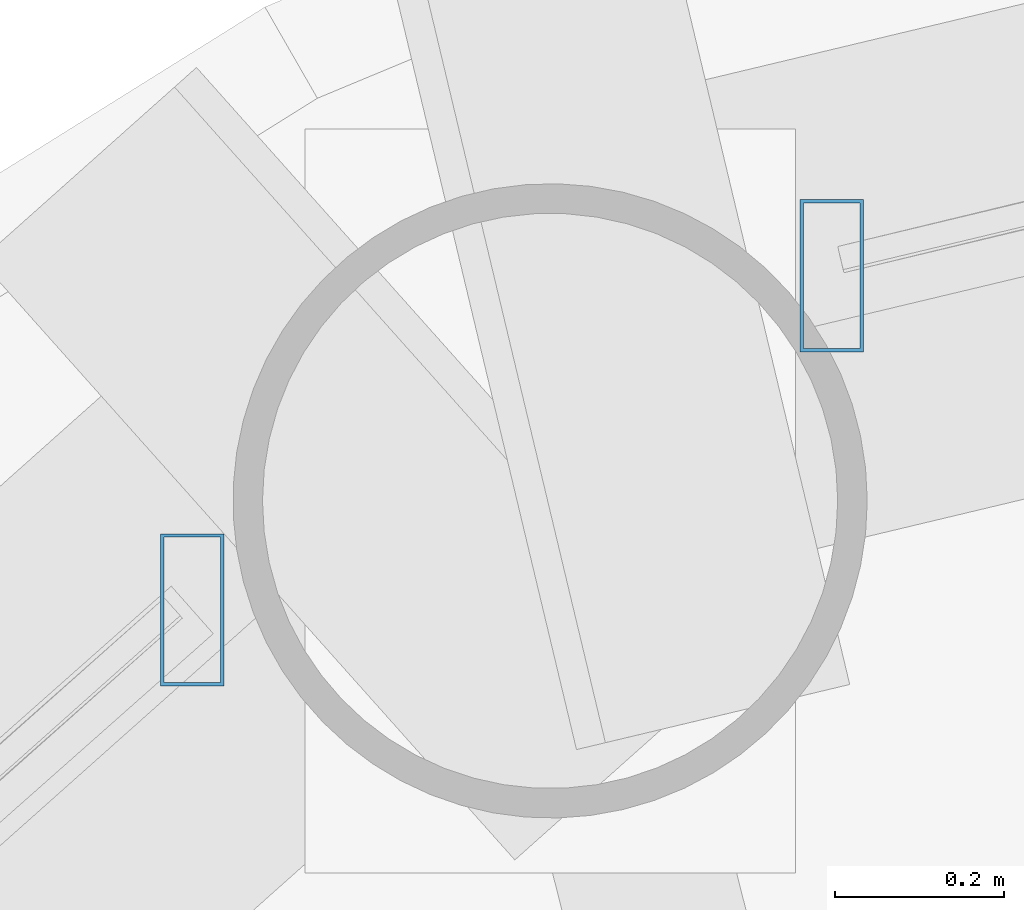
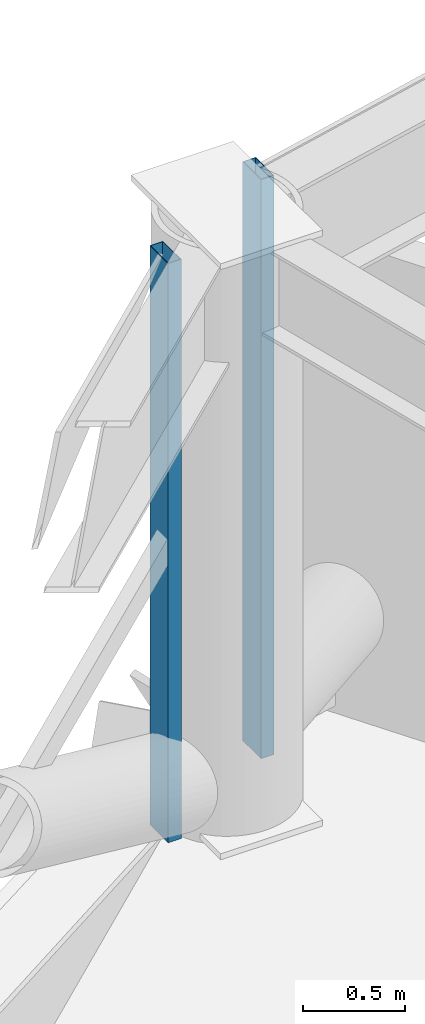
# One storey, part 15 of 30: 2 members, 2 elements without a shape of their own.
"""IFC4 building model written with IfcOpenShell, lengths in metres."""

from ifc_helpers import new_model, si_unit, direction, frame, origin, origin_2d, place, context, subcontext, project, spatial, hollow_rectangle, extrude, material, layer, layer_set, material_profile, profile_set, type_object, element, aggregate, save


model = new_model("IFC4")

# Units and contexts
model_context = context("Model", 3, precision=1e-05, world=origin(), true_north=direction((0.0, 1.0)))
body_context = subcontext(model_context, "Body", "Model", "MODEL_VIEW")
ifc_project = project(units=[si_unit("LENGTHUNIT", "METRE"), si_unit("AREAUNIT", "SQUARE_METRE"), si_unit("VOLUMEUNIT", "CUBIC_METRE"), si_unit("PLANEANGLEUNIT", "RADIAN"), si_unit("MASSUNIT", "GRAM", prefix="KILO")], contexts=[model_context])

# Site, building, storey
site_placement = place(None, origin())
site = spatial("IfcSite", under=ifc_project, at=site_placement, CompositionType="ELEMENT")
building_placement = place(site_placement, origin())
building = spatial("IfcBuilding", under=site, at=building_placement, Name="Vantalir Tower", CompositionType="ELEMENT")
storey_placement = place(building_placement, frame((0.0, 0.0, 119.699951171875)))
storey = spatial("IfcBuildingStorey", under=building, at=storey_placement, Name="L29", CompositionType="ELEMENT", Elevation=119.699951171875)

# Curtain wall, member
ifc_material_1 = material(Name="Champagne-silver PVDF aluminium and double-silver Low-E glass", Category="aluminium")
ifc_layer = layer(ifc_material_1, 0.199951171875)
ifc_layer_set = layer_set([ifc_layer], Name="Champagne-silver PVDF aluminium and double-silver Low-E glass")
curtain_wall_type = type_object("IfcCurtainWallType", Name="CW-DIAMOND-Z2", PredefinedType="USERDEFINED", material=ifc_layer_set)
curtain_wall_1_placement = place(storey_placement, origin())
curtain_wall_1 = element("IfcCurtainWall", 1, at=curtain_wall_1_placement, inside=storey, type_object=curtain_wall_type, Name="L29 Quilted Pyramid-Diamond Curtain Wall S04", ObjectType="UNITISED CURTAIN WALL", PredefinedType="USERDEFINED")
ifc_material_2 = material(Name="Champagne-silver PVDF aluminium 6063-T6", Category="aluminium")
ifc_material_profile = material_profile(ifc_material_2, hollow_rectangle(XDim=0.074951171875, YDim=0.179931640625, WallThickness=0.00390625, at=origin_2d()), Name="Champagne-silver PVDF aluminium 6063-T6")
ifc_profile_set = profile_set([ifc_material_profile], Name="Champagne-silver PVDF aluminium 6063-T6")
member_type = type_object("IfcMemberType", Name="CWM-180x75", PredefinedType="MULLION", material=ifc_profile_set)
member_1_placement = place(storey_placement, frame((19.1630859375, 44.80908203125, 0.045166015625), z_axis=(0.0, 0.0, 1.0), x_axis=(1.0, 0.0, 0.0)))
member_1 = element("IfcMember", 2, at=member_1_placement, type_object=member_type, Name="CW-L29-S04 Mullion 2", PredefinedType="MULLION", context=body_context, shape_type="SweptSolid", body=[
    extrude(hollow_rectangle(XDim=0.074951171875, YDim=0.179931640625, WallThickness=0.00390625, at=origin_2d()), origin(), (0.0, 0.0, 1.0), 3.47998046875),
])
aggregate(curtain_wall_1, [member_1])

curtain_wall_2_placement = place(storey_placement, origin())
curtain_wall_2 = element("IfcCurtainWall", 3, at=curtain_wall_2_placement, inside=storey, type_object=curtain_wall_type, Name="L29 Quilted Pyramid-Diamond Curtain Wall S05", ObjectType="UNITISED CURTAIN WALL", PredefinedType="USERDEFINED")
member_2_placement = place(storey_placement, frame((18.406982421875, 44.4140625, 0.045166015625), z_axis=(0.0, 0.0, 1.0), x_axis=(1.0, 0.0, 0.0)))
member_2 = element("IfcMember", 4, at=member_2_placement, type_object=member_type, Name="CW-L29-S05 Mullion 1", PredefinedType="MULLION", context=body_context, shape_type="SweptSolid", body=[
    extrude(hollow_rectangle(XDim=0.074951171875, YDim=0.179931640625, WallThickness=0.00390625, at=origin_2d()), origin(), (0.0, 0.0, 1.0), 3.47998046875),
])
aggregate(curtain_wall_2, [member_2])

save(model, "model.ifc")
